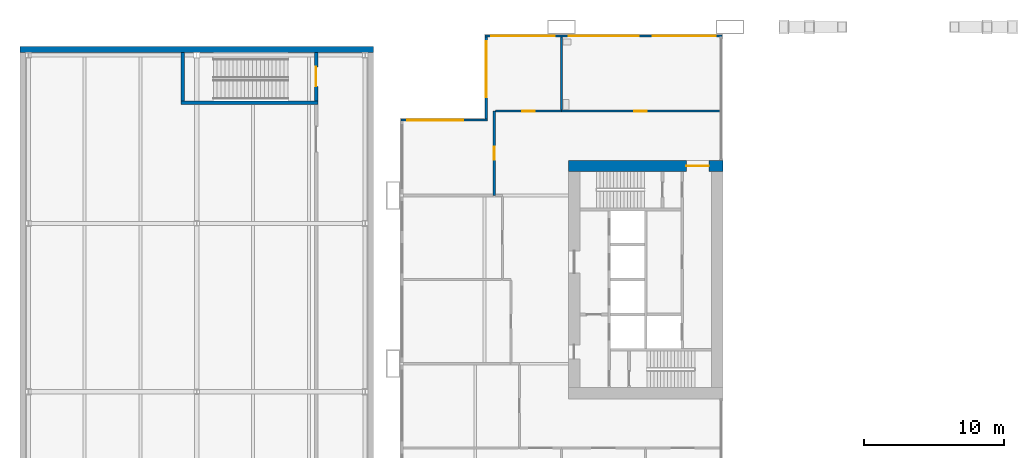
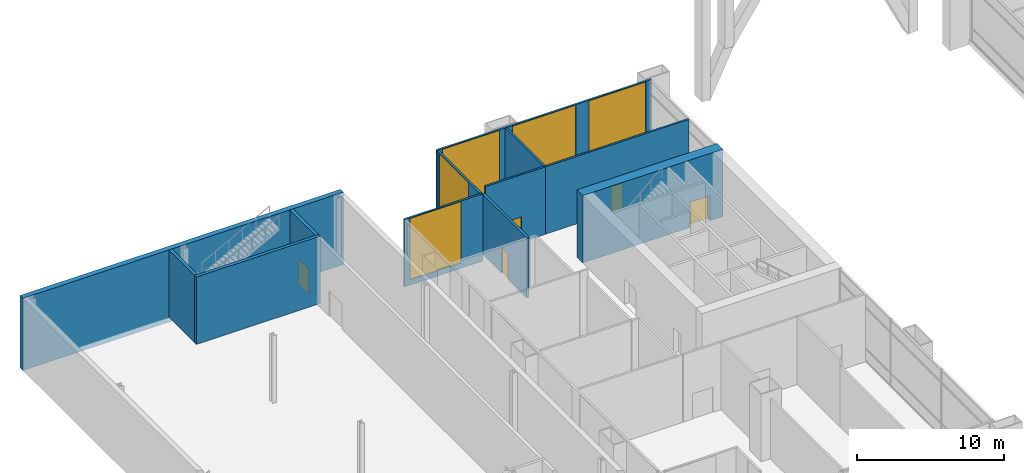
# One storey, part 21 of 25: 12 walls, 5 doors, 5 windows, 10 openings.
"""IFC4 building model written with IfcOpenShell, lengths in metres."""

from ifc_helpers import new_model, si_unit, direction, frame, frame_2d, origin, place, context, subcontext, project, spatial, rectangle, extrude, material, layer, layer_set, type_object, element, fill, save


model = new_model("IFC4")

# Units and contexts
model_context = context("Model", 3, precision=1e-05, world=origin(), true_north=direction((0.0, 1.0)))
body_context = subcontext(model_context, "Body", "Model", "MODEL_VIEW")
ifc_project = project(units=[si_unit("LENGTHUNIT", "METRE"), si_unit("AREAUNIT", "SQUARE_METRE"), si_unit("VOLUMEUNIT", "CUBIC_METRE"), si_unit("PLANEANGLEUNIT", "RADIAN"), si_unit("MASSUNIT", "GRAM", prefix="KILO")], contexts=[model_context])

# Site, building, storey
site_placement = place(None, origin())
site = spatial("IfcSite", under=ifc_project, at=site_placement, CompositionType="ELEMENT")
building_placement = place(site_placement, origin())
building = spatial("IfcBuilding", under=site, at=building_placement, Name="Kitamizu Gate Tower and Museum", CompositionType="ELEMENT")
storey_placement = place(building_placement, frame((0.0, 0.0, 12.0)))
storey = spatial("IfcBuildingStorey", under=building, at=storey_placement, Name="L02", CompositionType="ELEMENT", Elevation=12.0)

# Wall, opening, door
ifc_material_1 = material(Name="Concrete Fc60", Category="concrete")
ifc_layer_1 = layer(ifc_material_1, 0.800048828125)
ifc_layer_set_1 = layer_set([ifc_layer_1], Name="Concrete Fc60")
wall_type_1 = type_object("IfcWallType", Name="Core wall 800", PredefinedType="SHEAR", material=ifc_layer_set_1)
wall_1_placement = place(storey_placement, frame((12.5, 38.10009765625, 0.0), z_axis=(0.0, 0.0, 1.0), x_axis=(1.0, 0.0, 0.0)))
wall_1 = element("IfcWall", 1, at=wall_1_placement, inside=storey, type_object=wall_type_1, Name="Core wall WN", PredefinedType="SHEAR", context=body_context, shape_type="SweptSolid", body=[
    extrude(rectangle(XDim=11.0, YDim=0.800048828125, at=frame_2d((5.5, 0.0))), origin(), (0.0, 0.0, 1.0), 5.60009765625),
])
opening_1_placement = place(wall_1_placement, frame((8.39990234375, 0.0, 0.0)))
opening_1 = element("IfcOpeningElement", 2, at=opening_1_placement, cuts=wall_1, Name="Opening L02-025", PredefinedType="OPENING", context=body_context, shape_type="SweptSolid", body=[
    extrude(rectangle(XDim=1.60009765625, YDim=2.10009765625, at=frame_2d((0.800048828125, 1.050048828125))), frame((0.0, 0.41015625, 0.0), z_axis=(0.0, -1.0, 0.0), x_axis=(1.0, 0.0, 0.0)), (0.0, 0.0, 1.0), 0.820068359375),
])
ifc_material_2 = material(Name="Timber door set", Category="wood")
door_type_1 = type_object("IfcDoorType", Name="Entrance door 1600", OperationType="DOUBLE_DOOR_SINGLE_SWING", PredefinedType="DOOR", material=ifc_material_2)
door_1_placement = place(opening_1_placement, origin())
door_1 = element("IfcDoor", 3, at=door_1_placement, inside=storey, type_object=door_type_1, Name="Lobby door L02-025", OperationType="DOUBLE_DOOR_SINGLE_SWING", OverallHeight=2.10009765625, OverallWidth=1.60009765625, PredefinedType="DOOR", context=body_context, shape_type="SweptSolid", body=[
    extrude(rectangle(XDim=1.60009765625, YDim=2.10009765625, at=frame_2d((0.800048828125, 1.050048828125))), frame((0.0, 0.02490234375, 0.0), z_axis=(0.0, -1.0, 0.0), x_axis=(1.0, 0.0, 0.0)), (0.0, 0.0, 1.0), 0.050048828125),
])
fill(opening_1, door_1)

ifc_material_3 = material(Name="Concrete Fc30", Category="concrete")
ifc_layer_2 = layer(ifc_material_3, 0.25)
ifc_layer_set_2 = layer_set([ifc_layer_2], Name="Concrete Fc30")
wall_type_2 = type_object("IfcWallType", Name="Museum RC core wall 250", PredefinedType="SHEAR", material=ifc_layer_set_2)
wall_2_placement = place(storey_placement, frame((-5.5, 42.72509765625, 0.0), z_axis=(0.0, 0.0, 1.0), x_axis=(0.0, 1.0, 0.0)))
wall_2 = element("IfcWall", 4, at=wall_2_placement, inside=storey, type_object=wall_type_2, Name="Core wall L02.11.1", PredefinedType="SHEAR", context=body_context, shape_type="SweptSolid", body=[
    extrude(rectangle(XDim=3.474853515625, YDim=0.25, at=frame_2d((1.7373046875, 0.0))), origin(), (0.0, 0.0, 1.0), 5.60009765625),
])
opening_2_placement = place(wall_2_placement, frame((1.0380859375, 0.0, 0.0)))
opening_2 = element("IfcOpeningElement", 5, at=opening_2_placement, cuts=wall_2, Name="Opening MUS-L02-002", PredefinedType="OPENING", context=body_context, shape_type="SweptSolid", body=[
    extrude(rectangle(XDim=1.39990234375, YDim=2.10009765625, at=frame_2d((0.699951171875, 1.050048828125))), frame((0.0, 0.135009765625, 0.0), z_axis=(0.0, -1.0, 0.0), x_axis=(1.0, 0.0, 0.0)), (0.0, 0.0, 1.0), 0.27001953125),
])
ifc_material_4 = material(Name="Timber leaf in hollow metal frame", Category="wood")
door_type_2 = type_object("IfcDoorType", Name="Museum door 1400x2100 FD60", OperationType="DOUBLE_DOOR_SINGLE_SWING", PredefinedType="DOOR", material=ifc_material_4)
door_2_placement = place(opening_2_placement, origin())
door_2 = element("IfcDoor", 6, at=door_2_placement, inside=storey, type_object=door_type_2, Name="Door Stair N", OperationType="DOUBLE_DOOR_SINGLE_SWING", OverallHeight=2.10009765625, OverallWidth=1.39990234375, PredefinedType="DOOR", context=body_context, shape_type="SweptSolid", body=[
    extrude(rectangle(XDim=1.39990234375, YDim=2.10009765625, at=frame_2d((0.699951171875, 1.050048828125))), frame((0.0, 0.02490234375, 0.0), z_axis=(0.0, -1.0, 0.0), x_axis=(1.0, 0.0, 0.0)), (0.0, 0.0, 1.0), 0.050048828125),
])
fill(opening_2, door_2)

# Walls
wall_3_placement = place(storey_placement, frame((-15.125, 42.60009765625, 0.0), z_axis=(0.0, 0.0, 1.0), x_axis=(1.0, 0.0, 0.0)))
element("IfcWall", 7, at=wall_3_placement, inside=storey, type_object=wall_type_2, Name="Core wall L02.28.1", PredefinedType="SHEAR", context=body_context, shape_type="SweptSolid", body=[
    extrude(rectangle(XDim=9.75, YDim=0.25, at=frame_2d((4.875, 0.0))), origin(), (0.0, 0.0, 1.0), 5.60009765625),
])
wall_4_placement = place(storey_placement, frame((-15.0, 42.72509765625, 0.0), z_axis=(0.0, 0.0, 1.0), x_axis=(0.0, 1.0, 0.0)))
element("IfcWall", 8, at=wall_4_placement, inside=storey, type_object=wall_type_2, Name="Core wall L02.29.1", PredefinedType="SHEAR", context=body_context, shape_type="SweptSolid", body=[
    extrude(rectangle(XDim=3.474853515625, YDim=0.25, at=frame_2d((1.7373046875, 0.0))), origin(), (0.0, 0.0, 1.0), 5.60009765625),
])
ifc_material_5 = material(Name="Concrete Fc30 precast", Category="concrete")
ifc_layer_3 = layer(ifc_material_5, 0.39990234375)
ifc_layer_set_3 = layer_set([ifc_layer_3], Name="Concrete Fc30 precast")
wall_type_3 = type_object("IfcWallType", Name="Museum cladding wall 400", PredefinedType="STANDARD", material=ifc_layer_set_3)
wall_5_placement = place(storey_placement, frame((-26.60009765625, 46.39990234375, -0.39990234375), z_axis=(0.0, 0.0, 1.0), x_axis=(1.0, 0.0, 0.0)))
element("IfcWall", 9, at=wall_5_placement, inside=storey, type_object=wall_type_3, Name="Cladding wall L02.9", PredefinedType="STANDARD", context=body_context, shape_type="SweptSolid", body=[
    extrude(rectangle(XDim=25.2001953125, YDim=0.39990234375, at=frame_2d((12.60009765625, 0.0))), origin(), (0.0, 0.0, 1.0), 6.0),
])

# Wall, opening, door
ifc_material_6 = material(Name="Gypsum board on galvanised stud")
ifc_layer_4 = layer(ifc_material_6, 0.14990234375)
ifc_layer_set_4 = layer_set([ifc_layer_4], Name="Gypsum board on galvanised stud")
wall_type_4 = type_object("IfcWallType", Name="Partition 150", PredefinedType="PARTITIONING", material=ifc_layer_set_4)
wall_6_placement = place(storey_placement, frame((12.0, 42.0, 0.0), z_axis=(0.0, 0.0, 1.0), x_axis=(-1.0, 0.0, 0.0)))
wall_6 = element("IfcWall", 10, at=wall_6_placement, inside=storey, type_object=wall_type_4, Name="Partition L02-011", PredefinedType="PARTITIONING", context=body_context, shape_type="SweptSolid", body=[
    extrude(rectangle(XDim=4.699951171875, YDim=0.14990234375, at=frame_2d((2.35009765625, 0.0))), origin(), (0.0, 0.0, 1.0), 5.60009765625),
])
opening_3_placement = place(wall_6_placement, frame((1.89990234375, 0.0, 0.0)))
opening_3 = element("IfcOpeningElement", 11, at=opening_3_placement, cuts=wall_6, Name="Opening L02-016", PredefinedType="OPENING", context=body_context, shape_type="SweptSolid", body=[
    extrude(rectangle(XDim=0.89990234375, YDim=2.10009765625, at=frame_2d((0.449951171875, 1.050048828125))), frame((0.0, 0.0849609375, 0.0), z_axis=(0.0, -1.0, 0.0), x_axis=(1.0, 0.0, 0.0)), (0.0, 0.0, 1.0), 0.169921875),
])
ifc_material_7 = material(Name="Timber door set", Category="wood")
door_type_3 = type_object("IfcDoorType", Name="Room door 900", OperationType="NOTDEFINED", PredefinedType="DOOR", material=ifc_material_7)
door_3_placement = place(opening_3_placement, frame((0.89990234375, 0.0, 0.0), x_axis=(-1.0, 0.0, 0.0)))
door_3 = element("IfcDoor", 12, at=door_3_placement, inside=storey, type_object=door_type_3, Name="Door L02-016", OperationType="SINGLE_SWING_RIGHT", OverallHeight=2.10009765625, OverallWidth=0.89990234375, PredefinedType="DOOR", context=body_context, shape_type="SweptSolid", body=[
    extrude(rectangle(XDim=0.89990234375, YDim=2.10009765625, at=frame_2d((0.449951171875, 1.050048828125))), frame((0.0, 0.02490234375, 0.0), z_axis=(0.0, -1.0, 0.0), x_axis=(1.0, 0.0, 0.0)), (0.0, 0.0, 1.0), 0.050048828125),
])
fill(opening_3, door_3)

wall_7_placement = place(storey_placement, frame((23.280029296875, 42.0, 0.0), z_axis=(0.0, 0.0, 1.0), x_axis=(-1.0, 0.0, 0.0)))
wall_7 = element("IfcWall", 13, at=wall_7_placement, inside=storey, type_object=wall_type_4, Name="Partition L02-012", PredefinedType="PARTITIONING", context=body_context, shape_type="SweptSolid", body=[
    extrude(rectangle(XDim=11.280029296875, YDim=0.14990234375, at=frame_2d((5.64013671875, 0.0))), origin(), (0.0, 0.0, 1.0), 5.60009765625),
])
opening_4_placement = place(wall_7_placement, frame((5.18994140625, 0.0, 0.0)))
opening_4 = element("IfcOpeningElement", 14, at=opening_4_placement, cuts=wall_7, Name="Opening L02-017", PredefinedType="OPENING", context=body_context, shape_type="SweptSolid", body=[
    extrude(rectangle(XDim=0.89990234375, YDim=2.10009765625, at=frame_2d((0.449951171875, 1.050048828125))), frame((0.0, 0.0849609375, 0.0), z_axis=(0.0, -1.0, 0.0), x_axis=(1.0, 0.0, 0.0)), (0.0, 0.0, 1.0), 0.169921875),
])
door_4_placement = place(opening_4_placement, frame((0.89990234375, 0.0, 0.0), x_axis=(-1.0, 0.0, 0.0)))
door_4 = element("IfcDoor", 15, at=door_4_placement, inside=storey, type_object=door_type_3, Name="Door L02-017", OperationType="SINGLE_SWING_LEFT", OverallHeight=2.10009765625, OverallWidth=0.89990234375, PredefinedType="DOOR", context=body_context, shape_type="SweptSolid", body=[
    extrude(rectangle(XDim=0.89990234375, YDim=2.10009765625, at=frame_2d((0.449951171875, 1.050048828125))), frame((0.0, 0.02490234375, 0.0), z_axis=(0.0, -1.0, 0.0), x_axis=(1.0, 0.0, 0.0)), (0.0, 0.0, 1.0), 0.050048828125),
])
fill(opening_4, door_4)

# Wall
wall_8_placement = place(storey_placement, frame((12.0, 42.074951171875, 0.0), z_axis=(0.0, 0.0, 1.0), x_axis=(0.0, 1.0, 0.0)))
element("IfcWall", 16, at=wall_8_placement, inside=storey, type_object=wall_type_4, Name="Partition L02-039", PredefinedType="PARTITIONING", context=body_context, shape_type="SweptSolid", body=[
    extrude(rectangle(XDim=5.205078125, YDim=0.14990234375, at=frame_2d((2.6025390625, 0.0))), origin(), (0.0, 0.0, 1.0), 5.60009765625),
])

# Wall, opening, door
ifc_material_8 = material(Name="Gypsum board on galvanised stud")
ifc_layer_5 = layer(ifc_material_8, 0.199951171875)
ifc_layer_set_5 = layer_set([ifc_layer_5], Name="Gypsum board on galvanised stud")
wall_type_5 = type_object("IfcWallType", Name="Partition 200", PredefinedType="PARTITIONING", material=ifc_layer_set_5)
wall_9_placement = place(storey_placement, frame((7.199951171875, 42.0, 0.0), z_axis=(0.0, 0.0, 1.0), x_axis=(0.0, -1.0, 0.0)))
wall_9 = element("IfcWall", 17, at=wall_9_placement, inside=storey, type_object=wall_type_5, Name="Partition L02-010", PredefinedType="PARTITIONING", context=body_context, shape_type="SweptSolid", body=[
    extrude(rectangle(XDim=6.0, YDim=0.199951171875, at=frame_2d((3.0, 0.0))), origin(), (0.0, 0.0, 1.0), 5.0),
])
opening_5_placement = place(wall_9_placement, frame((2.550048828125, 0.0, 0.0)))
opening_5 = element("IfcOpeningElement", 18, at=opening_5_placement, cuts=wall_9, Name="Opening L02-015", PredefinedType="OPENING", context=body_context, shape_type="SweptSolid", body=[
    extrude(rectangle(XDim=0.89990234375, YDim=2.10009765625, at=frame_2d((0.449951171875, 1.050048828125))), frame((0.0, 0.10986328125, 0.0), z_axis=(0.0, -1.0, 0.0), x_axis=(1.0, 0.0, 0.0)), (0.0, 0.0, 1.0), 0.219970703125),
])
ifc_material_9 = material(Name="Timber door set", Category="wood")
door_type_4 = type_object("IfcDoorType", Name="Store door 900", OperationType="NOTDEFINED", PredefinedType="DOOR", material=ifc_material_9)
door_5_placement = place(opening_5_placement, frame((0.89990234375, 0.0, 0.0), x_axis=(-1.0, 0.0, 0.0)))
door_5 = element("IfcDoor", 19, at=door_5_placement, inside=storey, type_object=door_type_4, Name="Store door L02-015", OperationType="SINGLE_SWING_LEFT", OverallHeight=2.10009765625, OverallWidth=0.89990234375, PredefinedType="DOOR", context=body_context, shape_type="SweptSolid", body=[
    extrude(rectangle(XDim=0.89990234375, YDim=2.10009765625, at=frame_2d((0.449951171875, 1.050048828125))), frame((0.0, 0.02490234375, 0.0), z_axis=(0.0, -1.0, 0.0), x_axis=(1.0, 0.0, 0.0)), (0.0, 0.0, 1.0), 0.050048828125),
])
fill(opening_5, door_5)

# Wall, openings, windows
ifc_material_10 = material(Name="Bronze anodised aluminium frame with insulated spandrel and tinted glass", Category="aluminium")
ifc_layer_6 = layer(ifc_material_10, 0.14990234375)
ifc_layer_set_6 = layer_set([ifc_layer_6], Name="Bronze anodised aluminium frame with insulated spandrel and tinted glass")
wall_type_6 = type_object("IfcWallType", Name="WINDOW WALL 150 BRONZE FRAME EI 60", PredefinedType="ELEMENTEDWALL", material=ifc_layer_set_6)
wall_10_placement = place(storey_placement, frame((6.56005859375, 47.364990234375, 0.0), z_axis=(0.0, 0.0, 1.0), x_axis=(1.0, 0.0, 0.0)))
wall_10 = element("IfcWall", 20, at=wall_10_placement, inside=storey, type_object=wall_type_6, Name="Window wall north L02", PredefinedType="ELEMENTEDWALL", context=body_context, shape_type="SweptSolid", body=[
    extrude(rectangle(XDim=16.8798828125, YDim=0.14990234375, at=frame_2d((8.43994140625, 0.0))), origin(), (0.0, 0.0, 1.0), 5.60009765625),
])
opening_6_placement = place(wall_10_placement, frame((0.43994140625, 0.0, 0.449951171875)))
opening_6 = element("IfcOpeningElement", 21, at=opening_6_placement, cuts=wall_10, Name="Opening W21", PredefinedType="OPENING", context=body_context, shape_type="SweptSolid", body=[
    extrude(rectangle(XDim=4.5, YDim=5.10009765625, at=frame_2d((2.25, 2.550048828125))), frame((0.0, 0.0849609375, 0.0), z_axis=(0.0, -1.0, 0.0), x_axis=(1.0, 0.0, 0.0)), (0.0, 0.0, 1.0), 0.169921875),
])
opening_7_placement = place(wall_10_placement, frame((5.93994140625, 0.0, 0.449951171875)))
opening_7 = element("IfcOpeningElement", 22, at=opening_7_placement, cuts=wall_10, Name="Opening W7", PredefinedType="OPENING", context=body_context, shape_type="SweptSolid", body=[
    extrude(rectangle(XDim=5.0, YDim=5.10009765625, at=frame_2d((2.5, 2.550048828125))), frame((0.0, 0.0849609375, 0.0), z_axis=(0.0, -1.0, 0.0), x_axis=(1.0, 0.0, 0.0)), (0.0, 0.0, 1.0), 0.169921875),
])
opening_8_placement = place(wall_10_placement, frame((11.93994140625, 0.0, 0.449951171875)))
opening_8 = element("IfcOpeningElement", 23, at=opening_8_placement, cuts=wall_10, Name="Opening W21", PredefinedType="OPENING", context=body_context, shape_type="SweptSolid", body=[
    extrude(rectangle(XDim=4.5, YDim=5.10009765625, at=frame_2d((2.25, 2.550048828125))), frame((0.0, 0.0849609375, 0.0), z_axis=(0.0, -1.0, 0.0), x_axis=(1.0, 0.0, 0.0)), (0.0, 0.0, 1.0), 0.169921875),
])
ifc_material_11 = material(Name="Bronze anodised aluminium frame, tinted triple glazing", Category="aluminium")
window_type_1 = type_object("IfcWindowType", Name="WINDOW 4500 x 5100 SILL 450", PartitioningType="SINGLE_PANEL", PredefinedType="WINDOW", material=ifc_material_11)
window_1_placement = place(opening_6_placement, origin())
window_1 = element("IfcWindow", 24, at=window_1_placement, inside=storey, type_object=window_type_1, Name="Window W21 L02", OverallHeight=5.10009765625, OverallWidth=4.5, PartitioningType="SINGLE_PANEL", PredefinedType="WINDOW", context=body_context, shape_type="SweptSolid", body=[
    extrude(rectangle(XDim=4.5, YDim=5.10009765625, at=frame_2d((2.25, 2.550048828125))), frame((0.0, 0.030029296875, 0.0), z_axis=(0.0, -1.0, 0.0), x_axis=(1.0, 0.0, 0.0)), (0.0, 0.0, 1.0), 0.06005859375),
])
fill(opening_6, window_1)
window_2_placement = place(opening_8_placement, origin())
window_2 = element("IfcWindow", 25, at=window_2_placement, inside=storey, type_object=window_type_1, Name="Window W21 L02", OverallHeight=5.10009765625, OverallWidth=4.5, PartitioningType="SINGLE_PANEL", PredefinedType="WINDOW", context=body_context, shape_type="SweptSolid", body=[
    extrude(rectangle(XDim=4.5, YDim=5.10009765625, at=frame_2d((2.25, 2.550048828125))), frame((0.0, 0.030029296875, 0.0), z_axis=(0.0, -1.0, 0.0), x_axis=(1.0, 0.0, 0.0)), (0.0, 0.0, 1.0), 0.06005859375),
])
fill(opening_8, window_2)
ifc_material_12 = material(Name="Bronze anodised aluminium frame, tinted triple glazing", Category="aluminium")
window_type_2 = type_object("IfcWindowType", Name="WINDOW 5000 x 5100 SILL 450", PartitioningType="SINGLE_PANEL", PredefinedType="WINDOW", material=ifc_material_12)
window_3_placement = place(opening_7_placement, origin())
window_3 = element("IfcWindow", 26, at=window_3_placement, inside=storey, type_object=window_type_2, Name="Window W7 L02", OverallHeight=5.10009765625, OverallWidth=5.0, PartitioningType="SINGLE_PANEL", PredefinedType="WINDOW", context=body_context, shape_type="SweptSolid", body=[
    extrude(rectangle(XDim=5.0, YDim=5.10009765625, at=frame_2d((2.5, 2.550048828125))), frame((0.0, 0.030029296875, 0.0), z_axis=(0.0, -1.0, 0.0), x_axis=(1.0, 0.0, 0.0)), (0.0, 0.0, 1.0), 0.06005859375),
])
fill(opening_7, window_3)

# Wall, opening, window
wall_11_placement = place(storey_placement, frame((6.635009765625, 41.43994140625, 0.0), z_axis=(0.0, 0.0, 1.0), x_axis=(0.0, 1.0, 0.0)))
wall_11 = element("IfcWall", 27, at=wall_11_placement, inside=storey, type_object=wall_type_6, Name="Window wall west L02", PredefinedType="ELEMENTEDWALL", context=body_context, shape_type="SweptSolid", body=[
    extrude(rectangle(XDim=5.85009765625, YDim=0.14990234375, at=frame_2d((2.925048828125, 0.0))), origin(), (0.0, 0.0, 1.0), 5.60009765625),
])
opening_9_placement = place(wall_11_placement, frame((1.56005859375, 0.0, 0.449951171875)))
opening_9 = element("IfcOpeningElement", 28, at=opening_9_placement, cuts=wall_11, Name="Opening W22", PredefinedType="OPENING", context=body_context, shape_type="SweptSolid", body=[
    extrude(rectangle(XDim=4.0, YDim=5.10009765625, at=frame_2d((2.0, 2.550048828125))), frame((0.0, 0.0849609375, 0.0), z_axis=(0.0, -1.0, 0.0), x_axis=(1.0, 0.0, 0.0)), (0.0, 0.0, 1.0), 0.169921875),
])
ifc_material_13 = material(Name="Bronze anodised aluminium frame, tinted triple glazing", Category="aluminium")
window_type_3 = type_object("IfcWindowType", Name="WINDOW 4000 x 5100 SILL 450", PartitioningType="SINGLE_PANEL", PredefinedType="WINDOW", material=ifc_material_13)
window_4_placement = place(opening_9_placement, origin())
window_4 = element("IfcWindow", 29, at=window_4_placement, inside=storey, type_object=window_type_3, Name="Window W22 L02", OverallHeight=5.10009765625, OverallWidth=4.0, PartitioningType="SINGLE_PANEL", PredefinedType="WINDOW", context=body_context, shape_type="SweptSolid", body=[
    extrude(rectangle(XDim=4.0, YDim=5.10009765625, at=frame_2d((2.0, 2.550048828125))), frame((0.0, 0.030029296875, 0.0), z_axis=(0.0, -1.0, 0.0), x_axis=(1.0, 0.0, 0.0)), (0.0, 0.0, 1.0), 0.06005859375),
])
fill(opening_9, window_4)

wall_12_placement = place(storey_placement, frame((0.56005859375, 41.364990234375, 0.0), z_axis=(0.0, 0.0, 1.0), x_axis=(1.0, 0.0, 0.0)))
wall_12 = element("IfcWall", 30, at=wall_12_placement, inside=storey, type_object=wall_type_6, Name="Window wall north L02", PredefinedType="ELEMENTEDWALL", context=body_context, shape_type="SweptSolid", body=[
    extrude(rectangle(XDim=6.14990234375, YDim=0.14990234375, at=frame_2d((3.074951171875, 0.0))), origin(), (0.0, 0.0, 1.0), 5.60009765625),
])
opening_10_placement = place(wall_12_placement, frame((0.43994140625, 0.0, 0.449951171875)))
opening_10 = element("IfcOpeningElement", 31, at=opening_10_placement, cuts=wall_12, Name="Opening W22", PredefinedType="OPENING", context=body_context, shape_type="SweptSolid", body=[
    extrude(rectangle(XDim=4.0, YDim=5.10009765625, at=frame_2d((2.0, 2.550048828125))), frame((0.0, 0.0849609375, 0.0), z_axis=(0.0, -1.0, 0.0), x_axis=(1.0, 0.0, 0.0)), (0.0, 0.0, 1.0), 0.169921875),
])
window_5_placement = place(opening_10_placement, origin())
window_5 = element("IfcWindow", 32, at=window_5_placement, inside=storey, type_object=window_type_3, Name="Window W22 L02", OverallHeight=5.10009765625, OverallWidth=4.0, PartitioningType="SINGLE_PANEL", PredefinedType="WINDOW", context=body_context, shape_type="SweptSolid", body=[
    extrude(rectangle(XDim=4.0, YDim=5.10009765625, at=frame_2d((2.0, 2.550048828125))), frame((0.0, 0.030029296875, 0.0), z_axis=(0.0, -1.0, 0.0), x_axis=(1.0, 0.0, 0.0)), (0.0, 0.0, 1.0), 0.06005859375),
])
fill(opening_10, window_5)

save(model, "model.ifc")
